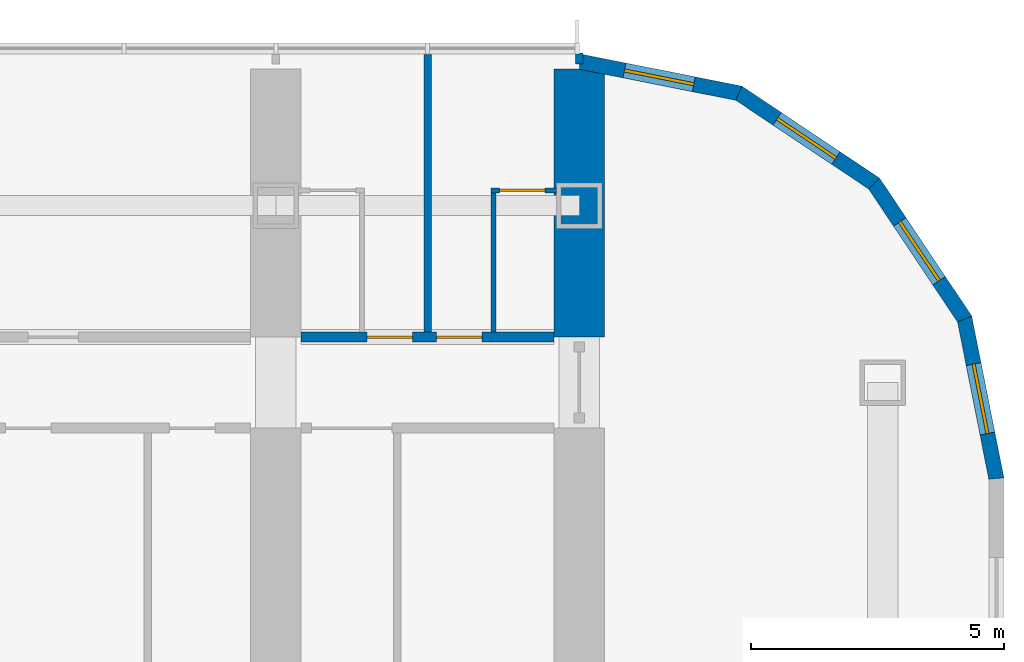
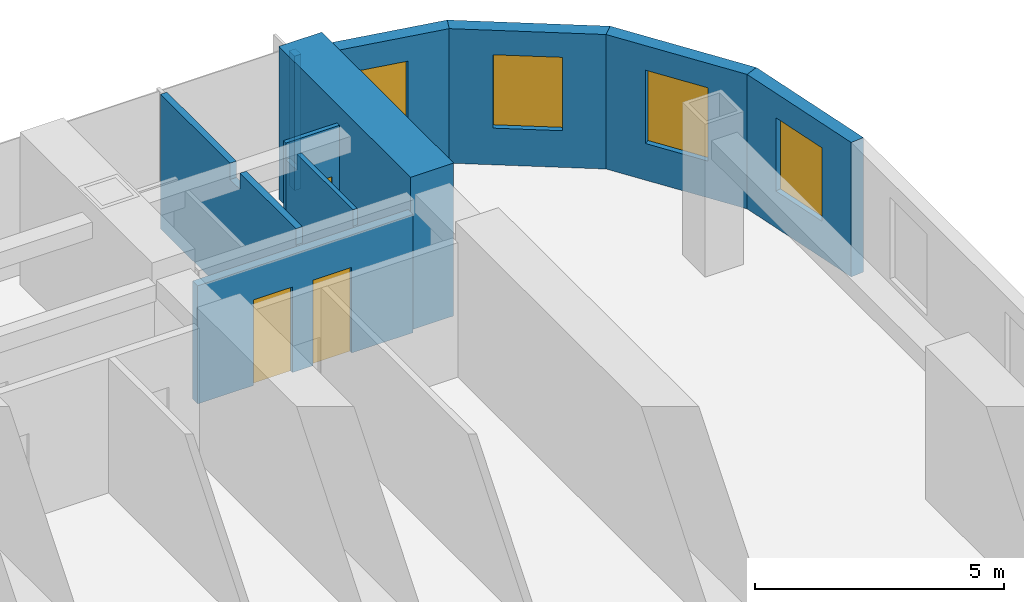
# One storey, part 18 of 23: 10 walls, 4 windows, 3 doors, 7 openings.
"""IFC4 building model written with IfcOpenShell, lengths in metres."""

from ifc_helpers import new_model, si_unit, direction, frame, frame_2d, origin, place, context, subcontext, project, spatial, polyline, rectangle, outline, extrude, material, layer, layer_set, type_object, element, fill, save


model = new_model("IFC4")

# Units and contexts
model_context = context("Model", 3, precision=1e-05, world=origin(), true_north=direction((0.0, 1.0)))
body_context = subcontext(model_context, "Body", "Model", "MODEL_VIEW")
ifc_project = project(units=[si_unit("LENGTHUNIT", "METRE"), si_unit("AREAUNIT", "SQUARE_METRE"), si_unit("VOLUMEUNIT", "CUBIC_METRE"), si_unit("PLANEANGLEUNIT", "RADIAN"), si_unit("MASSUNIT", "GRAM", prefix="KILO")], contexts=[model_context])

# Site, building, storey
site_placement = place(None, origin())
site = spatial("IfcSite", under=ifc_project, at=site_placement, CompositionType="ELEMENT")
building_placement = place(site_placement, origin())
building = spatial("IfcBuilding", under=site, at=building_placement, Name="Orbita Commons", CompositionType="ELEMENT")
storey_placement = place(building_placement, frame((0.0, 0.0, 50.199951171875)))
storey = spatial("IfcBuildingStorey", under=building, at=storey_placement, Name="L12", CompositionType="ELEMENT", Elevation=50.199951171875)

# Wall, openings, doors
ifc_material_1 = material(Name="Concrete blockwork", Category="masonry")
ifc_layer_1 = layer(ifc_material_1, 0.199951171875)
ifc_layer_set_1 = layer_set([ifc_layer_1], Name="Concrete blockwork")
wall_type_1 = type_object("IfcWallType", Name="Corridor wall 200 blockwork", PredefinedType="SOLIDWALL", material=ifc_layer_set_1)
wall_1_placement = place(storey_placement, frame((66.5, 51.0, 0.0), z_axis=(0.0, 0.0, 1.0), x_axis=(1.0, 0.0, 0.0)))
wall_1 = element("IfcWall", 1, at=wall_1_placement, inside=storey, type_object=wall_type_1, Name="Corridor wall 200 blockwork L12", PredefinedType="SOLIDWALL", context=body_context, shape_type="SweptSolid", body=[
    extrude(outline(polyline([(0.0, 0.0), (5.0, 0.0), (5.0, 2.900146484375), (0.0, 2.900146484375), (0.0, 0.0)])), frame((0.0, 0.10009765625, 0.0), z_axis=(0.0, -1.0, 0.0), x_axis=(1.0, 0.0, 0.0)), (0.0, 0.0, 1.0), 0.199951171875),
])
opening_1_placement = place(wall_1_placement, frame((1.300048828125, 0.0, 0.0)))
opening_1 = element("IfcOpeningElement", 2, at=opening_1_placement, cuts=wall_1, Name="Opening D11", PredefinedType="OPENING", context=body_context, shape_type="SweptSolid", body=[
    extrude(rectangle(XDim=0.89990234375, YDim=2.10009765625, at=frame_2d((0.449951171875, 1.050048828125))), frame((0.0, 0.10986328125, 0.0), z_axis=(0.0, -1.0, 0.0), x_axis=(1.0, 0.0, 0.0)), (0.0, 0.0, 1.0), 0.219970703125),
])
opening_2_placement = place(wall_1_placement, frame((2.675048828125, 0.0, 0.0)))
opening_2 = element("IfcOpeningElement", 3, at=opening_2_placement, cuts=wall_1, Name="Opening D11", PredefinedType="OPENING", context=body_context, shape_type="SweptSolid", body=[
    extrude(rectangle(XDim=0.89990234375, YDim=2.10009765625, at=frame_2d((0.449951171875, 1.050048828125))), frame((0.0, 0.10986328125, 0.0), z_axis=(0.0, -1.0, 0.0), x_axis=(1.0, 0.0, 0.0)), (0.0, 0.0, 1.0), 0.219970703125),
])
ifc_material_2 = material(Name="Steel-faced fire door leaf", Category="steel")
door_type_1 = type_object("IfcDoorType", Name="Corridor door 20 min 900x2100", OperationType="SINGLE_SWING_LEFT", PredefinedType="DOOR", material=ifc_material_2)
door_1_placement = place(opening_1_placement, origin())
door_1 = element("IfcDoor", 4, at=door_1_placement, inside=storey, type_object=door_type_1, Name="House bedroom L12-N18 door", OperationType="SINGLE_SWING_LEFT", OverallHeight=2.10009765625, OverallWidth=0.89990234375, PredefinedType="DOOR", context=body_context, shape_type="SweptSolid", body=[
    extrude(rectangle(XDim=0.89990234375, YDim=2.10009765625, at=frame_2d((0.449951171875, 1.050048828125))), frame((0.0, 0.02490234375, 0.0), z_axis=(0.0, -1.0, 0.0), x_axis=(1.0, 0.0, 0.0)), (0.0, 0.0, 1.0), 0.050048828125),
])
fill(opening_1, door_1)
door_2_placement = place(opening_2_placement, origin())
door_2 = element("IfcDoor", 5, at=door_2_placement, inside=storey, type_object=door_type_1, Name="House bedroom L12-N19 door", OperationType="SINGLE_SWING_LEFT", OverallHeight=2.10009765625, OverallWidth=0.89990234375, PredefinedType="DOOR", context=body_context, shape_type="SweptSolid", body=[
    extrude(rectangle(XDim=0.89990234375, YDim=2.10009765625, at=frame_2d((0.449951171875, 1.050048828125))), frame((0.0, 0.02490234375, 0.0), z_axis=(0.0, -1.0, 0.0), x_axis=(1.0, 0.0, 0.0)), (0.0, 0.0, 1.0), 0.050048828125),
])
fill(opening_2, door_2)

# Wall
ifc_material_3 = material(Name="Concrete C50/60", Category="concrete")
ifc_layer_2 = layer(ifc_material_3, 1.0)
ifc_layer_set_2 = layer_set([ifc_layer_2], Name="Concrete C50/60")
wall_type_2 = type_object("IfcWallType", Name="Cross wall 1000 C50/60", PredefinedType="SHEAR", material=ifc_layer_set_2)
wall_2_placement = place(storey_placement, frame((72.0, 51.0, 0.0), z_axis=(0.0, 0.0, 1.0), x_axis=(0.0, 1.0, 0.0)))
element("IfcWall", 6, at=wall_2_placement, inside=storey, type_object=wall_type_2, Name="Cross wall 13 north outer L12", PredefinedType="SHEAR", context=body_context, shape_type="SweptSolid", body=[
    extrude(rectangle(XDim=5.300048828125, YDim=1.0, at=frame_2d((2.64990234375, 0.0))), origin(), (0.0, 0.0, 1.0), 3.75),
])

# Wall, opening, door
ifc_material_4 = material(Name="Moisture-resistant plasterboard on steel studs", Category="steel")
ifc_layer_3 = layer(ifc_material_4, 0.10009765625)
ifc_layer_set_3 = layer_set([ifc_layer_3], Name="Moisture-resistant plasterboard on steel studs")
wall_type_3 = type_object("IfcWallType", Name="En-suite partition 100", PredefinedType="PARTITIONING", material=ifc_layer_set_3)
wall_3_placement = place(storey_placement, frame((70.25, 53.89990234375, 0.0), z_axis=(0.0, 0.0, 1.0), x_axis=(1.0, 0.0, 0.0)))
wall_3 = element("IfcWall", 7, at=wall_3_placement, inside=storey, type_object=wall_type_3, Name="En-suite partition 100 L12", PredefinedType="PARTITIONING", context=body_context, shape_type="SweptSolid", body=[
    extrude(rectangle(XDim=1.300048828125, YDim=0.10009765625, at=frame_2d((0.64990234375, 0.0))), origin(), (0.0, 0.0, 1.0), 3.300048828125),
])
opening_3_placement = place(wall_3_placement, frame((0.175048828125, 0.0, 0.0)))
opening_3 = element("IfcOpeningElement", 8, at=opening_3_placement, cuts=wall_3, Name="Opening D09", PredefinedType="OPENING", context=body_context, shape_type="SweptSolid", body=[
    extrude(rectangle(XDim=0.89990234375, YDim=2.10009765625, at=frame_2d((0.449951171875, 1.050048828125))), frame((0.0, 0.06005859375, 0.0), z_axis=(0.0, -1.0, 0.0), x_axis=(1.0, 0.0, 0.0)), (0.0, 0.0, 1.0), 0.1201171875),
])
ifc_material_5 = material(Name="Laminated timber door leaf", Category="wood")
door_type_2 = type_object("IfcDoorType", Name="En-suite door 900x2100", OperationType="SINGLE_SWING_RIGHT", PredefinedType="DOOR", material=ifc_material_5)
door_3_placement = place(opening_3_placement, origin())
door_3 = element("IfcDoor", 9, at=door_3_placement, inside=storey, type_object=door_type_2, Name="En-suite L12-N19 door", OperationType="SINGLE_SWING_RIGHT", OverallHeight=2.10009765625, OverallWidth=0.89990234375, PredefinedType="DOOR", context=body_context, shape_type="SweptSolid", body=[
    extrude(rectangle(XDim=0.89990234375, YDim=2.10009765625, at=frame_2d((0.449951171875, 1.050048828125))), frame((0.0, 0.02490234375, 0.0), z_axis=(0.0, -1.0, 0.0), x_axis=(1.0, 0.0, 0.0)), (0.0, 0.0, 1.0), 0.050048828125),
])
fill(opening_3, door_3)

# Walls
wall_4_placement = place(storey_placement, frame((70.300048828125, 53.85009765625, 0.0), z_axis=(0.0, 0.0, 1.0), x_axis=(0.0, -1.0, 0.0)))
element("IfcWall", 10, at=wall_4_placement, inside=storey, type_object=wall_type_3, Name="En-suite partition 100 L12", PredefinedType="PARTITIONING", context=body_context, shape_type="SweptSolid", body=[
    extrude(outline(polyline([(0.0, 0.0), (2.75, 0.0), (2.75, 2.900146484375), (2.701904296875, 2.900146484375), (2.699951171875, 3.300048828125), (0.451904296875, 3.300048828125), (0.449951171875, 2.900146484375), (0.0, 2.900146484375), (0.0, 0.0)])), frame((0.0, 0.050048828125, 0.0), z_axis=(0.0, -1.0, 0.0), x_axis=(1.0, 0.0, 0.0)), (0.0, 0.0, 1.0), 0.10009765625),
])
ifc_material_6 = material(Name="Gypsum plasterboard on steel studs", Category="steel")
ifc_layer_4 = layer(ifc_material_6, 0.14990234375)
ifc_layer_set_4 = layer_set([ifc_layer_4], Name="Gypsum plasterboard on steel studs")
wall_type_4 = type_object("IfcWallType", Name="Partition 150 plasterboard", PredefinedType="PARTITIONING", material=ifc_layer_set_4)
wall_5_placement = place(storey_placement, frame((72.0, 56.39990234375, 0.0), z_axis=(0.0, 0.0, 1.0), x_axis=(0.0, 1.0, 0.0)))
element("IfcWall", 11, at=wall_5_placement, inside=storey, type_object=wall_type_4, Name="Partition 150 plasterboard L12", PredefinedType="PARTITIONING", context=body_context, shape_type="SweptSolid", body=[
    extrude(rectangle(XDim=0.22021484375, YDim=0.14990234375, at=frame_2d((0.110107421875, 0.0))), origin(), (0.0, 0.0, 1.0), 3.300048828125),
])
ifc_material_7 = material(Name="Gypsum plasterboard on steel studs", Category="steel")
ifc_layer_5 = layer(ifc_material_7, 0.14990234375)
ifc_layer_set_5 = layer_set([ifc_layer_5], Name="Gypsum plasterboard on steel studs")
wall_type_5 = type_object("IfcWallType", Name="Party wall 150 plasterboard", PredefinedType="PARTITIONING", material=ifc_layer_set_5)
wall_6_placement = place(storey_placement, frame((69.0, 56.590087890625, 0.0), z_axis=(0.0, 0.0, 1.0), x_axis=(0.0, -1.0, 0.0)))
element("IfcWall", 12, at=wall_6_placement, inside=storey, type_object=wall_type_5, Name="Party wall 150 plasterboard L12", PredefinedType="PARTITIONING", context=body_context, shape_type="SweptSolid", body=[
    extrude(outline(polyline([(0.0, 0.0), (5.489990234375, 0.0), (5.489990234375, 2.900146484375), (5.44189453125, 2.900146484375), (5.43994140625, 3.300048828125), (3.19189453125, 3.300048828125), (3.18994140625, 2.900146484375), (2.7919921875, 2.900146484375), (2.7900390625, 3.300048828125), (0.0, 3.300048828125), (0.0, 0.0)])), frame((0.0, 0.074951171875, 0.0), z_axis=(0.0, -1.0, 0.0), x_axis=(1.0, 0.0, 0.0)), (0.0, 0.0, 1.0), 0.14990234375),
])

# Wall, opening, window
ifc_material_8 = material(Name="Precast concrete C40/50, white board-marked finish", Category="concrete")
ifc_layer_6 = layer(ifc_material_8, 0.300048828125)
ifc_layer_set_6 = layer_set([ifc_layer_6], Name="Precast concrete C40/50, white board-marked finish")
wall_type_6 = type_object("IfcWallType", Name="Precast concrete end shield 300", PredefinedType="SOLIDWALL", material=ifc_layer_set_6)
wall_7_placement = place(storey_placement, frame((80.25, 48.199951171875, 0.0), z_axis=(0.0, 0.0, 1.0), x_axis=(-0.195065901187, 0.980790137692, 0.0)))
wall_7 = element("IfcWall", 13, at=wall_7_placement, inside=storey, type_object=wall_type_6, Name="End shield NE chord 1 L12", PredefinedType="SOLIDWALL", context=body_context, shape_type="SweptSolid", body=[
    extrude(outline(polyline([(-0.014892578125, -0.14990234375), (3.248779296875, -0.14990234375), (3.189208984375, 0.14990234375), (0.014892578125, 0.14990234375), (-0.014892578125, -0.14990234375)])), origin(), (0.0, 0.0, 1.0), 3.300048828125),
])
opening_4_placement = place(wall_7_placement, frame((0.909423828125, 0.0, 0.89990234375)))
opening_4 = element("IfcOpeningElement", 14, at=opening_4_placement, cuts=wall_7, Name="Opening W02", PredefinedType="OPENING", context=body_context, shape_type="SweptSolid", body=[
    extrude(rectangle(XDim=1.39990234375, YDim=1.800048828125, at=frame_2d((0.699951171875, 0.89990234375))), frame((0.0, 0.159912109375, 0.0), z_axis=(0.0, -1.0, 0.0), x_axis=(1.0, 0.0, 0.0)), (0.0, 0.0, 1.0), 0.320068359375),
])
ifc_material_9 = material(Name="Aluminium frame, clear double glazing", Category="aluminium")
window_type = type_object("IfcWindowType", Name="Deep-set window 1400x1800", PartitioningType="SINGLE_PANEL", PredefinedType="WINDOW", material=ifc_material_9)
window_1_placement = place(opening_4_placement, origin())
window_1 = element("IfcWindow", 15, at=window_1_placement, inside=storey, type_object=window_type, Name="Window L12-NE0", OverallHeight=1.800048828125, OverallWidth=1.39990234375, PartitioningType="SINGLE_PANEL", PredefinedType="WINDOW", context=body_context, shape_type="SweptSolid", body=[
    extrude(rectangle(XDim=1.39990234375, YDim=1.800048828125, at=frame_2d((0.699951171875, 0.89990234375))), frame((0.0, 0.030029296875, 0.0), z_axis=(0.0, -1.0, 0.0), x_axis=(1.0, 0.0, 0.0)), (0.0, 0.0, 1.0), 0.06005859375),
])
fill(opening_4, window_1)

wall_8_placement = place(storey_placement, frame((79.6220703125, 51.357177734375, 0.0), z_axis=(0.0, 0.0, 1.0), x_axis=(-0.555609954424, 0.831443069936, 0.0)))
wall_8 = element("IfcWall", 16, at=wall_8_placement, inside=storey, type_object=wall_type_6, Name="End shield NE chord 2 L12", PredefinedType="SOLIDWALL", context=body_context, shape_type="SweptSolid", body=[
    extrude(outline(polyline([(-0.02978515625, -0.14990234375), (3.2490234375, -0.14990234375), (3.189453125, 0.14990234375), (0.02978515625, 0.14990234375), (-0.02978515625, -0.14990234375)])), origin(), (0.0, 0.0, 1.0), 3.300048828125),
])
opening_5_placement = place(wall_8_placement, frame((0.909423828125, 0.0, 0.89990234375)))
opening_5 = element("IfcOpeningElement", 17, at=opening_5_placement, cuts=wall_8, Name="Opening W02", PredefinedType="OPENING", context=body_context, shape_type="SweptSolid", body=[
    extrude(rectangle(XDim=1.39990234375, YDim=1.800048828125, at=frame_2d((0.699951171875, 0.89990234375))), frame((0.0, 0.159912109375, 0.0), z_axis=(0.0, -1.0, 0.0), x_axis=(1.0, 0.0, 0.0)), (0.0, 0.0, 1.0), 0.320068359375),
])
window_2_placement = place(opening_5_placement, origin())
window_2 = element("IfcWindow", 18, at=window_2_placement, inside=storey, type_object=window_type, Name="Window L12-NE1", OverallHeight=1.800048828125, OverallWidth=1.39990234375, PartitioningType="SINGLE_PANEL", PredefinedType="WINDOW", context=body_context, shape_type="SweptSolid", body=[
    extrude(rectangle(XDim=1.39990234375, YDim=1.800048828125, at=frame_2d((0.699951171875, 0.89990234375))), frame((0.0, 0.030029296875, 0.0), z_axis=(0.0, -1.0, 0.0), x_axis=(1.0, 0.0, 0.0)), (0.0, 0.0, 1.0), 0.06005859375),
])
fill(opening_5, window_2)

wall_9_placement = place(storey_placement, frame((77.83349609375, 54.03369140625, 0.0), z_axis=(0.0, 0.0, 1.0), x_axis=(-0.831478105043, 0.555557522525, 0.0)))
wall_9 = element("IfcWall", 19, at=wall_9_placement, inside=storey, type_object=wall_type_6, Name="End shield NE chord 3 L12", PredefinedType="SOLIDWALL", context=body_context, shape_type="SweptSolid", body=[
    extrude(outline(polyline([(-0.02978515625, -0.14990234375), (3.248779296875, -0.14990234375), (3.189208984375, 0.14990234375), (0.02978515625, 0.14990234375), (-0.02978515625, -0.14990234375)])), origin(), (0.0, 0.0, 1.0), 3.300048828125),
])
opening_6_placement = place(wall_9_placement, frame((0.909423828125, 0.0, 0.89990234375)))
opening_6 = element("IfcOpeningElement", 20, at=opening_6_placement, cuts=wall_9, Name="Opening W02", PredefinedType="OPENING", context=body_context, shape_type="SweptSolid", body=[
    extrude(rectangle(XDim=1.39990234375, YDim=1.800048828125, at=frame_2d((0.699951171875, 0.89990234375))), frame((0.0, 0.159912109375, 0.0), z_axis=(0.0, -1.0, 0.0), x_axis=(1.0, 0.0, 0.0)), (0.0, 0.0, 1.0), 0.320068359375),
])
window_3_placement = place(opening_6_placement, origin())
window_3 = element("IfcWindow", 21, at=window_3_placement, inside=storey, type_object=window_type, Name="Window L12-NE2", OverallHeight=1.800048828125, OverallWidth=1.39990234375, PartitioningType="SINGLE_PANEL", PredefinedType="WINDOW", context=body_context, shape_type="SweptSolid", body=[
    extrude(rectangle(XDim=1.39990234375, YDim=1.800048828125, at=frame_2d((0.699951171875, 0.89990234375))), frame((0.0, 0.030029296875, 0.0), z_axis=(0.0, -1.0, 0.0), x_axis=(1.0, 0.0, 0.0)), (0.0, 0.0, 1.0), 0.06005859375),
])
fill(opening_6, window_3)

wall_10_placement = place(storey_placement, frame((75.156982421875, 55.822021484375, 0.0), z_axis=(0.0, 0.0, 1.0), x_axis=(-0.980787251524, 0.195080412259, 0.0)))
wall_10 = element("IfcWall", 22, at=wall_10_placement, inside=storey, type_object=wall_type_6, Name="End shield NE chord 4 L12", PredefinedType="SOLIDWALL", context=body_context, shape_type="SweptSolid", body=[
    extrude(outline(polyline([(-0.02978515625, -0.14990234375), (3.24853515625, -0.14990234375), (3.18896484375, 0.14990234375), (0.02978515625, 0.14990234375), (-0.02978515625, -0.14990234375)])), origin(), (0.0, 0.0, 1.0), 3.300048828125),
])
opening_7_placement = place(wall_10_placement, frame((0.909423828125, 0.0, 0.89990234375)))
opening_7 = element("IfcOpeningElement", 23, at=opening_7_placement, cuts=wall_10, Name="Opening W02", PredefinedType="OPENING", context=body_context, shape_type="SweptSolid", body=[
    extrude(rectangle(XDim=1.39990234375, YDim=1.800048828125, at=frame_2d((0.699951171875, 0.89990234375))), frame((0.0, 0.159912109375, 0.0), z_axis=(0.0, -1.0, 0.0), x_axis=(1.0, 0.0, 0.0)), (0.0, 0.0, 1.0), 0.320068359375),
])
window_4_placement = place(opening_7_placement, origin())
window_4 = element("IfcWindow", 24, at=window_4_placement, inside=storey, type_object=window_type, Name="Window L12-NE3", OverallHeight=1.800048828125, OverallWidth=1.39990234375, PartitioningType="SINGLE_PANEL", PredefinedType="WINDOW", context=body_context, shape_type="SweptSolid", body=[
    extrude(rectangle(XDim=1.39990234375, YDim=1.800048828125, at=frame_2d((0.699951171875, 0.89990234375))), frame((0.0, 0.030029296875, 0.0), z_axis=(0.0, -1.0, 0.0), x_axis=(1.0, 0.0, 0.0)), (0.0, 0.0, 1.0), 0.06005859375),
])
fill(opening_7, window_4)

save(model, "model.ifc")
